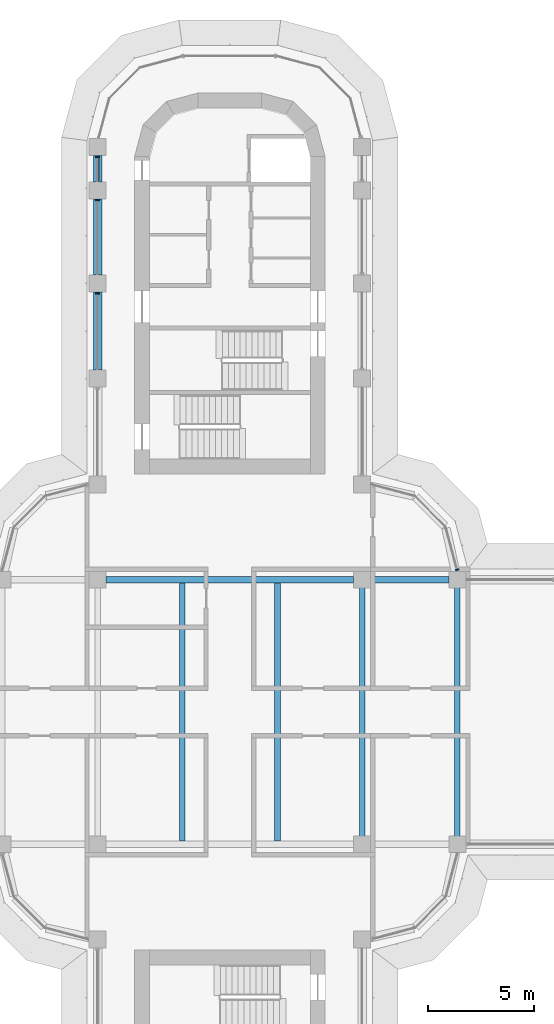
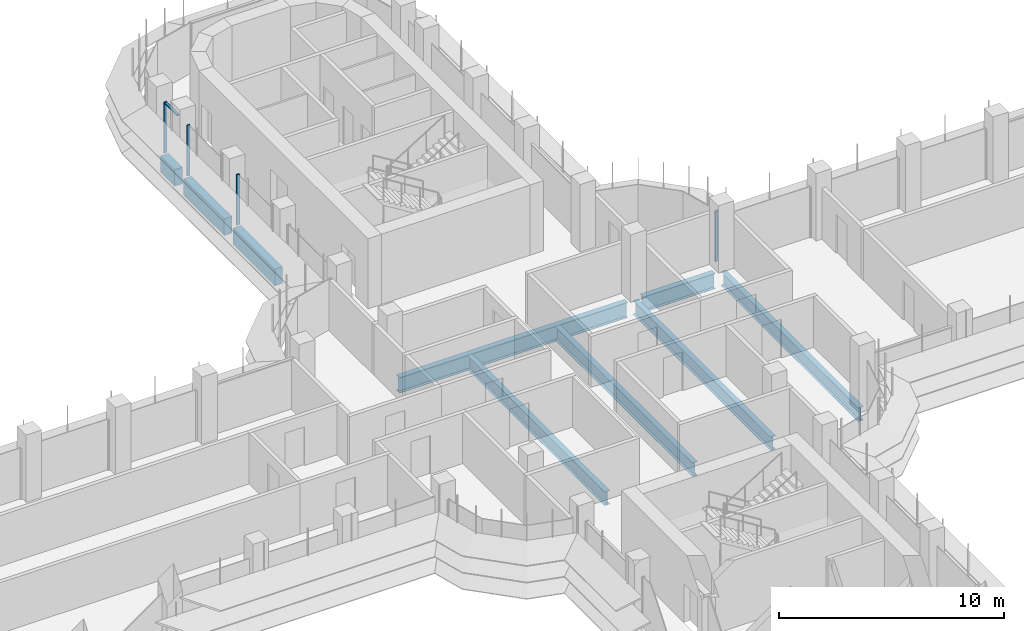
# One storey, part 7 of 20: 9 beams, 5 members, 2 elements without a shape of their own.
"""IFC4 building model written with IfcOpenShell, lengths in metres."""

import ifcopenshell
import ifcopenshell.guid

model = None  # the IFC model being written
_history = None  # IfcOwnerHistory: only IFC2X3 demands one
_inside = {}  # id of a spatial element -> (the spatial element, [elements in it])
_under = {}  # id of a project, library or spatial element -> (it, [spatial elements below it])
_declared = {}  # id of a project -> (the project, [libraries it declares])
_typed = {}  # id of a type object -> (the type object, [elements of that type])
_made_of = {}  # id of a material, layer set ... -> (it, [elements and type objects made of it])


def new_model(schema):
    """Start an empty IFC model of exactly this schema.

    Asked for "IFC4X3", IfcOpenShell would pick the latest addendum, in which some entities
    have other attributes; the version numbers below select the first issue.
    IFC2X3 requires an IfcOwnerHistory on every rooted entity: one is made here for all.
    """
    global model, _history
    if schema == "IFC4X3":
        model = ifcopenshell.file(schema_version=(4, 3, 0, 0))
    else:
        model = ifcopenshell.file(schema=schema)
    _inside.clear()
    _under.clear()
    _declared.clear()
    _typed.clear()
    _made_of.clear()
    _history = None
    if model.schema == "IFC2X3":
        org = make("IfcOrganization", Name="unknown")
        user = make(
            "IfcPersonAndOrganization",
            ThePerson=make("IfcPerson", FamilyName="unknown"),
            TheOrganization=org,
        )
        app = make(
            "IfcApplication",
            ApplicationDeveloper=org,
            Version="unknown",
            ApplicationFullName="unknown",
            ApplicationIdentifier="unknown",
        )
        _history = make(
            "IfcOwnerHistory",
            OwningUser=user,
            OwningApplication=app,
            ChangeAction="ADDED",
            CreationDate=0,
        )
    return model


def make(cls, **values):
    """One entity of the class cls with the attributes given. An attribute that is None is left unset."""
    return model.create_entity(
        cls, **{name: value for name, value in values.items() if value is not None}
    )


def rooted(cls, **values):
    """An entity with a GlobalId (a new one), such as an element, a storey or a relation."""
    return make(cls, GlobalId=ifcopenshell.guid.new(), OwnerHistory=_history, **values)


def si_unit(unit_type, name, prefix=None):
    """IfcSIUnit, for example si_unit("LENGTHUNIT", "METRE", prefix="MILLI")."""
    return make("IfcSIUnit", UnitType=unit_type, Prefix=prefix, Name=name)


def assignment(units):
    """IfcUnitAssignment: the units of a project."""
    return None if units is None else make("IfcUnitAssignment", Units=units)


def point(xyz):
    """IfcCartesianPoint."""
    return None if xyz is None else make("IfcCartesianPoint", Coordinates=xyz)


def direction(xyz):
    """IfcDirection."""
    return None if xyz is None else make("IfcDirection", DirectionRatios=xyz)


def frame(location, z_axis=None, x_axis=None):
    """IfcAxis2Placement3D, a coordinate frame: its origin and axes. An axis left out is left unset."""
    return make(
        "IfcAxis2Placement3D",
        Location=point(location),
        Axis=direction(z_axis),
        RefDirection=direction(x_axis),
    )


def frame_2d(location, x_axis=None):
    """IfcAxis2Placement2D, a coordinate frame in the plane: its origin and x axis."""
    return make(
        "IfcAxis2Placement2D", Location=point(location), RefDirection=direction(x_axis)
    )


def origin():
    """The frame at (0, 0, 0) with its axes left unset."""
    return frame((0.0, 0.0, 0.0))


def origin_2d():
    """The frame at (0, 0) in the plane with its x axis left unset."""
    return frame_2d((0.0, 0.0))


def place(relative_to, where):
    """IfcLocalPlacement: puts the frame where relative to a parent placement (None: the world)."""
    return make(
        "IfcLocalPlacement", PlacementRelTo=relative_to, RelativePlacement=where
    )


def context(
    kind, dimensions, precision=None, world=None, true_north=None, identifier=None
):
    """IfcGeometricRepresentationContext, for example the 3D "Model" context."""
    return make(
        "IfcGeometricRepresentationContext",
        ContextIdentifier=identifier,
        ContextType=kind,
        CoordinateSpaceDimension=dimensions,
        Precision=precision,
        WorldCoordinateSystem=world,
        TrueNorth=true_north,
    )


def subcontext(parent, identifier, kind, view, scale=None):
    """IfcGeometricRepresentationSubContext, for example "Body" below "Model"."""
    return make(
        "IfcGeometricRepresentationSubContext",
        ContextIdentifier=identifier,
        ContextType=kind,
        ParentContext=parent,
        TargetScale=scale,
        TargetView=view,
    )


def project(units=None, contexts=None):
    """IfcProject with its units and contexts."""
    return rooted(
        "IfcProject",
        Name="project",
        RepresentationContexts=contexts,
        UnitsInContext=assignment(units),
    )


def spatial(cls, under=None, at=None, **own):
    """A site, building, storey or space (cls), placed at a placement, below another one or the project."""
    s = rooted(cls, ObjectPlacement=at, **own)
    if under is not None:
        _under.setdefault(under.id(), (under, []))[1].append(s)
    return s


def polyline(points):
    """IfcPolyline through the points."""
    return make("IfcPolyline", Points=[point(p) for p in points])


def profile(cls, at=None, kind="AREA", **sizes):
    """A parametric profile (cls). Its sizes go by their IFC names, for example OverallWidth=200.0."""
    return make(cls, ProfileType=kind, Position=at, **sizes)


def rectangle(**sizes):
    """IfcRectangleProfileDef."""
    return profile("IfcRectangleProfileDef", **sizes)


def i_section(**sizes):
    """IfcIShapeProfileDef."""
    return profile("IfcIShapeProfileDef", **sizes)


def outline(outer, holes=None, kind="AREA"):
    """IfcArbitraryClosedProfileDef: a profile drawn as a closed curve; with holes, ...WithVoids."""
    if holes is None:
        return make("IfcArbitraryClosedProfileDef", ProfileType=kind, OuterCurve=outer)
    return make(
        "IfcArbitraryProfileDefWithVoids",
        ProfileType=kind,
        OuterCurve=outer,
        InnerCurves=holes,
    )


def extrude(swept, where, along, depth):
    """IfcExtrudedAreaSolid: the profile swept, set in the frame where, extruded along a direction by depth."""
    return make(
        "IfcExtrudedAreaSolid",
        SweptArea=swept,
        Position=where,
        ExtrudedDirection=direction(along),
        Depth=depth,
    )


def shape(context_of_items, identifier, shape_type, items):
    """IfcShapeRepresentation: the items that make up one representation, for example the "Body"."""
    return make(
        "IfcShapeRepresentation",
        ContextOfItems=context_of_items,
        RepresentationIdentifier=identifier,
        RepresentationType=shape_type,
        Items=items,
    )


def source(mapping_origin, context_of_items, identifier, shape_type, items):
    """IfcRepresentationMap: a shape defined once, which mapped items show again and again."""
    return make(
        "IfcRepresentationMap",
        MappingOrigin=mapping_origin,
        MappedRepresentation=shape(context_of_items, identifier, shape_type, items),
    )


def transform(
    local_origin,
    x_axis=None,
    y_axis=None,
    z_axis=None,
    scale=None,
    scale2=None,
    scale3=None,
    uniform=True,
):
    """IfcCartesianTransformationOperator3D, or its non-uniform kind. x_axis, y_axis, z_axis: its Axis1, 2, 3."""
    if uniform:
        return make(
            "IfcCartesianTransformationOperator3D",
            Axis1=direction(x_axis),
            Axis2=direction(y_axis),
            LocalOrigin=point(local_origin),
            Scale=scale,
            Axis3=direction(z_axis),
        )
    return make(
        "IfcCartesianTransformationOperator3DnonUniform",
        Axis1=direction(x_axis),
        Axis2=direction(y_axis),
        LocalOrigin=point(local_origin),
        Scale=scale,
        Axis3=direction(z_axis),
        Scale2=scale2,
        Scale3=scale3,
    )


def mapped(mapping_source, mapping_target):
    """IfcMappedItem: shows the shape of a source again, moved by a transform."""
    return make(
        "IfcMappedItem", MappingSource=mapping_source, MappingTarget=mapping_target
    )


def material(Name=None, Category=None):
    """IfcMaterial."""
    return make("IfcMaterial", Name=Name, Category=Category)


def material_profile(
    of_material, cross_section, Name=None, Category=None, Priority=None
):
    """IfcMaterialProfile: a cross section and its material."""
    return make(
        "IfcMaterialProfile",
        Name=Name,
        Material=of_material,
        Profile=cross_section,
        Priority=Priority,
        Category=Category,
    )


def profile_set(profiles, Name=None, composite=None):
    """IfcMaterialProfileSet."""
    return make(
        "IfcMaterialProfileSet",
        Name=Name,
        MaterialProfiles=profiles,
        CompositeProfile=composite,
    )


def made_of(thing, what):
    """Note that an element or type object is made of a material, layer set ...; save() writes the relation."""
    if what is not None:
        _made_of.setdefault(what.id(), (what, []))[1].append(thing)
    return thing


def type_object(cls, material=None, **own):
    """A type object (cls), such as IfcWallType, which elements share."""
    return made_of(rooted(cls, **own), material)


def element(
    cls,
    number,
    at=None,
    inside=None,
    cuts=None,
    type_object=None,
    material=None,
    context=None,
    identifier="Body",
    shape_type=None,
    held_by="IfcProductDefinitionShape",
    body=None,
    shapes=None,
    **own,
):
    """One element of the class cls, such as IfcWall. Its Tag is "e" and its number.

    at: its placement. inside: the storey or other place that contains it. cuts: it is an
    opening in that element (IfcRelVoidsElement). A single representation is given by context,
    identifier, shape_type and body (its items); several are given by shapes. held_by: the class
    of the entity that holds the representations. save() writes the other relations.
    """
    e = rooted(cls, Tag="e%d" % number, ObjectPlacement=at, **own)
    if body is not None:
        shapes = [shape(context, identifier, shape_type, body)]
    if shapes is not None:
        e.Representation = make(held_by, Representations=shapes)
    if inside is not None:
        _inside.setdefault(inside.id(), (inside, []))[1].append(e)
    if cuts is not None:
        rooted(
            "IfcRelVoidsElement", RelatingBuildingElement=cuts, RelatedOpeningElement=e
        )
    if type_object is not None:
        _typed.setdefault(type_object.id(), (type_object, []))[1].append(e)
    return made_of(e, material)


def aggregate(whole, parts):
    """IfcRelAggregates: a whole, such as a stair, and the parts it consists of."""
    return rooted("IfcRelAggregates", RelatingObject=whole, RelatedObjects=parts)


def save(model, path):
    """Write the relations noted so far, then the file.

    IfcRelAggregates (storeys below a building ...), IfcRelContainedInSpatialStructure (elements
    in a storey), IfcRelDefinesByType, IfcRelAssociatesMaterial and IfcRelDeclares: one each for
    every whole, place, type object, material and project.
    """
    for whole, parts in _under.values():
        aggregate(whole, parts)
    for where, things in _inside.values():
        rooted(
            "IfcRelContainedInSpatialStructure",
            RelatedElements=things,
            RelatingStructure=where,
        )
    for kind, things in _typed.values():
        rooted("IfcRelDefinesByType", RelatedObjects=things, RelatingType=kind)
    for what, things in _made_of.values():
        rooted("IfcRelAssociatesMaterial", RelatedObjects=things, RelatingMaterial=what)
    for by, libraries in _declared.values():
        rooted("IfcRelDeclares", RelatingContext=by, RelatedDefinitions=libraries)
    model.write(path)


model = new_model("IFC4")

# Units and contexts
model_context = context("Model", 3, precision=1e-05, world=origin(), true_north=direction((0.0, 1.0)))
body_context = subcontext(model_context, "Body", "Model", "MODEL_VIEW")
ifc_project = project(units=[si_unit("LENGTHUNIT", "METRE"), si_unit("AREAUNIT", "SQUARE_METRE"), si_unit("VOLUMEUNIT", "CUBIC_METRE"), si_unit("PLANEANGLEUNIT", "RADIAN"), si_unit("MASSUNIT", "GRAM", prefix="KILO")], contexts=[model_context])

# Site, building, storey
site_placement = place(None, origin())
site = spatial("IfcSite", under=ifc_project, at=site_placement, CompositionType="ELEMENT")
building_placement = place(site_placement, origin())
building = spatial("IfcBuilding", under=site, at=building_placement, Name="Zarbagh Exchange Tower", CompositionType="ELEMENT")
storey_placement = place(building_placement, frame((0.0, 0.0, 156.199951171875)))
storey = spatial("IfcBuildingStorey", under=building, at=storey_placement, Name="L37", CompositionType="ELEMENT", Elevation=156.199951171875)

# Beams
ifc_material_1 = material(Name="Steel ASTM A992 Gr 50", Category="steel")
ifc_material_profile_1 = material_profile(ifc_material_1, i_section(OverallWidth=0.26416015625, OverallDepth=0.749267578125, WebThickness=0.011962890625, FlangeThickness=0.015380859375, at=origin_2d()), Name="W30X90")
ifc_profile_set_1 = profile_set([ifc_material_profile_1], Name="Steel ASTM A992 Gr 50")
beam_type_1 = type_object("IfcBeamType", Name="Floor beam W30X90", PredefinedType="BEAM", material=ifc_profile_set_1)
for number, where, z_axis, x_axis, name in (
    (1, (-2.25, -6.10400390625, -0.524658203125), (0.0, 1.0, 0.0), (-1.0, 0.0, 0.0), "Steel floor beam"),
    (2, (2.25, -6.10400390625, -0.524658203125), (0.0, 1.0, 0.0), (-1.0, 0.0, 0.0), "Steel floor beam"),
    (3, (6.25, -6.10400390625, -0.524658203125), (0.0, 1.0, 0.0), (-1.0, 0.0, 0.0), "Steel floor beam"),
    (4, (10.75, -6.10400390625, -0.524658203125), (0.0, 1.0, 0.0), (-1.0, 0.0, 0.0), "Steel floor beam"),
):
    element("IfcBeam", number, at=place(storey_placement, frame(where, z_axis=z_axis, x_axis=x_axis)), inside=storey, type_object=beam_type_1, Name=name, PredefinedType="BEAM", context=body_context, shape_type="SweptSolid", body=[
        extrude(i_section(OverallWidth=0.26416015625, OverallDepth=0.749267578125, WebThickness=0.011962890625, FlangeThickness=0.015380859375, at=origin_2d()), origin(), (0.0, 0.0, 1.0), 12.2080078125),
    ])
ifc_material_profile_2 = material_profile(ifc_material_1, i_section(OverallWidth=0.2919921875, OverallDepth=0.835693359375, WebThickness=0.013916015625, FlangeThickness=0.018798828125, at=origin_2d()), Name="W33X118")
ifc_profile_set_2 = profile_set([ifc_material_profile_2], Name="Steel ASTM A992 Gr 50")
beam_type_2 = type_object("IfcBeamType", Name="Floor girder W33X118", PredefinedType="BEAM", material=ifc_profile_set_2)
beam_1_placement = place(storey_placement, frame((-5.85009765625, 6.25, -0.56787109375), z_axis=(1.0, 0.0, 0.0), x_axis=(0.0, 1.0, 0.0)))
element("IfcBeam", 5, at=beam_1_placement, inside=storey, type_object=beam_type_2, Name="Steel girder", PredefinedType="BEAM", context=body_context, shape_type="SweptSolid", body=[
    extrude(i_section(OverallWidth=0.2919921875, OverallDepth=0.835693359375, WebThickness=0.013916015625, FlangeThickness=0.018798828125, at=origin_2d()), origin(), (0.0, 0.0, 1.0), 11.7001953125),
])
beam_2_placement = place(storey_placement, frame((6.64990234375, 6.25, -0.56787109375), z_axis=(1.0, 0.0, 0.0), x_axis=(0.0, 1.0, 0.0)))
element("IfcBeam", 6, at=beam_2_placement, inside=storey, type_object=beam_type_2, Name="Steel girder", PredefinedType="BEAM", context=body_context, shape_type="SweptSolid", body=[
    extrude(i_section(OverallWidth=0.2919921875, OverallDepth=0.835693359375, WebThickness=0.013916015625, FlangeThickness=0.018798828125, at=origin_2d()), origin(), (0.0, 0.0, 1.0), 3.7001953125),
])
ifc_material_2 = material(Name="Concrete C50/60", Category="concrete")
ifc_material_profile_3 = material_profile(ifc_material_2, rectangle(XDim=0.39990234375, YDim=0.89990234375, at=origin_2d()), Name="RC spandrel beam 400 x 900 C50/60")
ifc_profile_set_3 = profile_set([ifc_material_profile_3], Name="Concrete C50/60")
beam_type_3 = type_object("IfcBeamType", Name="RC spandrel beam 400 x 900 C50/60", PredefinedType="SPANDREL", material=ifc_profile_set_3)
beam_3_placement = place(storey_placement, frame((-6.25, 16.14990234375, -0.599853515625), z_axis=(0.0, 1.0, 0.0), x_axis=(-1.0, 0.0, 0.0)))
element("IfcBeam", 7, at=beam_3_placement, inside=storey, type_object=beam_type_3, Name="RC spandrel beam", PredefinedType="SPANDREL", context=body_context, shape_type="SweptSolid", body=[
    extrude(rectangle(XDim=0.39990234375, YDim=0.89990234375, at=origin_2d()), origin(), (0.0, 0.0, 1.0), 3.7001953125),
])
beam_4_placement = place(storey_placement, frame((-6.25, 20.64990234375, -0.599853515625), z_axis=(0.0, 1.0, 0.0), x_axis=(-1.0, 0.0, 0.0)))
element("IfcBeam", 8, at=beam_4_placement, inside=storey, type_object=beam_type_3, Name="RC spandrel beam", PredefinedType="SPANDREL", context=body_context, shape_type="SweptSolid", body=[
    extrude(rectangle(XDim=0.39990234375, YDim=0.89990234375, at=origin_2d()), origin(), (0.0, 0.0, 1.0), 3.60009765625),
])
beam_5_placement = place(storey_placement, frame((-6.25, 25.050048828125, -0.599853515625), z_axis=(0.0, 1.0, 0.0), x_axis=(-1.0, 0.0, 0.0)))
element("IfcBeam", 9, at=beam_5_placement, inside=storey, type_object=beam_type_3, Name="RC spandrel beam", PredefinedType="SPANDREL", context=body_context, shape_type="SweptSolid", body=[
    extrude(rectangle(XDim=0.39990234375, YDim=0.89990234375, at=origin_2d()), origin(), (0.0, 0.0, 1.0), 1.25),
])

# Curtain wall, member
ifc_material_3 = material(Name="Anodised aluminium frame and glazing", Category="aluminium")
curtain_wall_type = type_object("IfcCurtainWallType", Name="CWB Ribbon glazing, upper zones", PredefinedType="NOTDEFINED", material=ifc_material_3)
curtain_wall_1_placement = place(storey_placement, origin())
curtain_wall_1 = element("IfcCurtainWall", 10, at=curtain_wall_1_placement, inside=storey, type_object=curtain_wall_type, Name="CWB17 curtain wall", PredefinedType="NOTDEFINED")
ifc_material_4 = material(Name="Anodised aluminium frame", Category="aluminium")
member_type_1 = type_object("IfcMemberType", Name="MUB Mullion, anodised aluminium frame", PredefinedType="MULLION", material=ifc_material_4)
shared_shape_1 = source(origin(), body_context, "Body", "SweptSolid", [
    extrude(outline(polyline([(0.0, -0.080078125), (0.06005859375, -0.080078125), (0.06005859375, 0.080078125), (0.0, 0.080078125), (0.0, -0.080078125)])), origin(), (0.0, 0.0, 1.0), 2.75),
])
placement = place(storey_placement, origin())
member_1 = element("IfcMember", 11, at=placement, type_object=member_type_1, Name="CWB17 mullion 1.1", PredefinedType="MULLION", context=body_context, shape_type="MappedRepresentation", body=[
    mapped(shared_shape_1, transform((10.74853515625, 6.68994140625, 0.0), x_axis=(-0.258824779902, 0.965924289636, 0.0), y_axis=(-0.965924289636, -0.258824779902, 0.0), z_axis=(0.0, 0.0, 1.0))),
])
aggregate(curtain_wall_1, [member_1])

# Curtain wall, members
curtain_wall_2_placement = place(storey_placement, origin())
curtain_wall_2 = element("IfcCurtainWall", 12, at=curtain_wall_2_placement, inside=storey, type_object=curtain_wall_type, Name="CWB28 curtain wall", PredefinedType="NOTDEFINED")
member_2 = element("IfcMember", 13, at=placement, type_object=member_type_1, Name="CWB28 mullion 1.1", PredefinedType="MULLION", context=body_context, shape_type="MappedRepresentation", body=[
    mapped(shared_shape_1, transform((-6.25, 26.260009765625, 0.0), x_axis=(0.0, -1.0, 0.0), y_axis=(1.0, 0.0, 0.0), z_axis=(0.0, 0.0, 1.0))),
])
member_3 = element("IfcMember", 14, at=placement, type_object=member_type_1, Name="CWB28 mullion 2.1", PredefinedType="MULLION", context=body_context, shape_type="MappedRepresentation", body=[
    mapped(shared_shape_1, transform((-6.25, 24.2099609375, 0.0), x_axis=(0.0, -1.0, 0.0), y_axis=(1.0, 0.0, 0.0), z_axis=(0.0, 0.0, 1.0))),
])
member_4 = element("IfcMember", 15, at=placement, type_object=member_type_1, Name="CWB28 mullion 3.1", PredefinedType="MULLION", context=body_context, shape_type="MappedRepresentation", body=[
    mapped(shared_shape_1, transform((-6.25, 19.81005859375, 0.0), x_axis=(0.0, -1.0, 0.0), y_axis=(1.0, 0.0, 0.0), z_axis=(0.0, 0.0, 1.0))),
])
member_type_2 = type_object("IfcMemberType", Name="TRB Transom, anodised aluminium frame", PredefinedType="USERDEFINED", material=ifc_material_4)
shared_shape_2 = source(origin(), body_context, "Body", "SweptSolid", [
    extrude(outline(polyline([(-0.06005859375, -0.06005859375), (0.0, -0.06005859375), (0.0, 0.06005859375), (-0.06005859375, 0.06005859375), (-0.06005859375, -0.06005859375)])), origin(), (0.0, 0.0, 1.0), 1.110107421875),
])
member_5 = element("IfcMember", 16, at=placement, type_object=member_type_2, Name="CWB28 transom 1.1", ObjectType="TRANSOM", PredefinedType="USERDEFINED", context=body_context, shape_type="MappedRepresentation", body=[
    mapped(shared_shape_2, transform((-6.25, 26.199951171875, 2.75), x_axis=(0.0, 0.0, 1.0), y_axis=(-1.0, 0.0, 0.0), z_axis=(0.0, -1.0, 0.0))),
])
aggregate(curtain_wall_2, [member_2, member_5, member_3, member_4])

save(model, "model.ifc")
